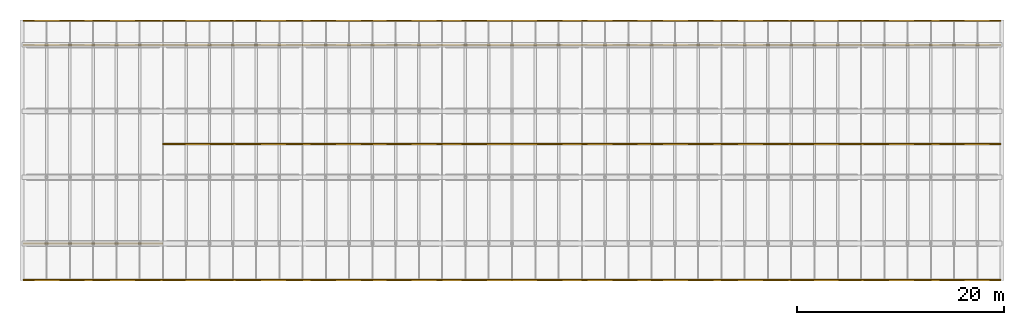
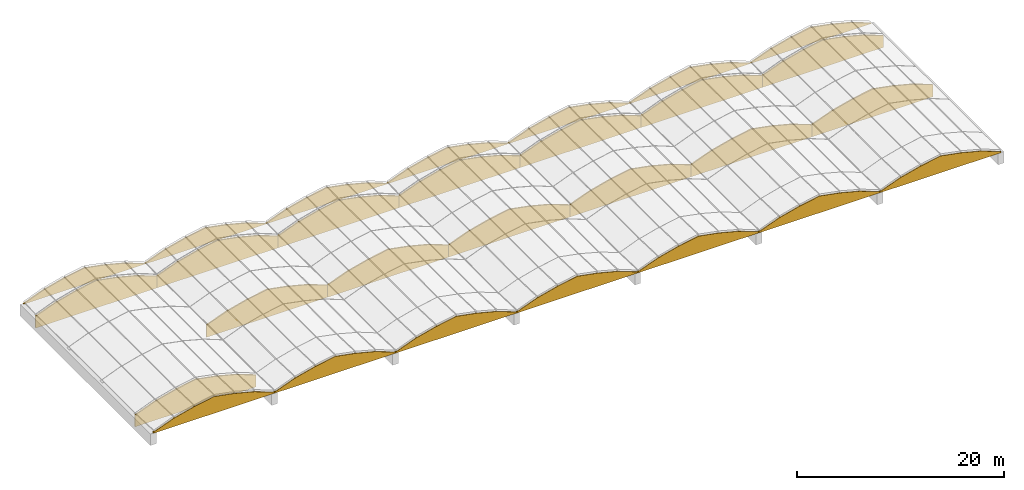
# One storey, part 15 of 15: 28 coverings.
"""IFC4 building model written with IfcOpenShell, lengths in metres."""

from ifc_helpers import new_model, si_unit, direction, frame, origin, place, context, subcontext, project, spatial, polyline, outline, extrude, material, layer, layer_set, type_object, element, save


model = new_model("IFC4")

# Units and contexts
model_context = context("Model", 3, precision=1e-05, world=origin(), true_north=direction((0.0, 1.0)))
body_context = subcontext(model_context, "Body", "Model", "MODEL_VIEW")
ifc_project = project(units=[si_unit("LENGTHUNIT", "METRE"), si_unit("AREAUNIT", "SQUARE_METRE"), si_unit("VOLUMEUNIT", "CUBIC_METRE"), si_unit("PLANEANGLEUNIT", "RADIAN"), si_unit("MASSUNIT", "GRAM", prefix="KILO")], contexts=[model_context])

# Site, building, storey
site_placement = place(None, origin())
site = spatial("IfcSite", under=ifc_project, at=site_placement, CompositionType="ELEMENT")
building_placement = place(site_placement, origin())
building = spatial("IfcBuilding", under=site, at=building_placement, Name="Fikremerkos Civic Library", CompositionType="ELEMENT")
storey_placement = place(building_placement, frame((0.0, 0.0, 27.89990234375)))
storey = spatial("IfcBuildingStorey", under=building, at=storey_placement, Name="RF", CompositionType="ELEMENT", Elevation=27.89990234375)

# Coverings
ifc_material = material(Name="Anodised aluminium mullion and transom", Category="aluminium")
ifc_layer = layer(ifc_material, 0.139892578125, Name="Anodised aluminium mullion and transom")
ifc_layer_set = layer_set([ifc_layer], Name="Anodised aluminium mullion and transom")
covering_type = type_object("IfcCoveringType", Name="Anodised aluminium clerestory closure CLD-03", PredefinedType="CLADDING", material=ifc_layer_set)
covering_1_placement = place(storey_placement, frame((19.199951171875, 31.199951171875, -1.39990234375), z_axis=(0.0, 0.0, 1.0), x_axis=(1.0, 0.0, 0.0)))
element("IfcCovering", 1, at=covering_1_placement, inside=storey, type_object=covering_type, Name="Reading hall north barrel-vault arch lunette closure CLD-03 V1", PredefinedType="CLADDING", context=body_context, shape_type="SweptSolid", body=[
    extrude(outline(polyline([(0.0, 0.0), (13.5, 0.0), (13.5, 1.385009765625), (11.25, 2.23095703125), (9.0, 2.80908203125), (6.75, 3.22900390625), (4.5, 2.80908203125), (2.25, 2.23095703125), (0.0, 1.385009765625), (0.0, 0.0)])), frame((0.0, 0.06982421875, 0.0), z_axis=(0.0, -1.0, 0.0), x_axis=(1.0, 0.0, 0.0)), (0.0, 0.0, 1.0), 0.139892578125),
])
covering_2_placement = place(storey_placement, frame((19.199951171875, 33.5400390625, -0.02001953125), z_axis=(0.0, 0.0, 1.0), x_axis=(1.0, 0.0, 0.0)))
element("IfcCovering", 2, at=covering_2_placement, inside=storey, type_object=covering_type, Name="Reading hall north eave arch tympanum CLD-03 V1", PredefinedType="CLADDING", context=body_context, shape_type="SweptSolid", body=[
    extrude(outline(polyline([(0.0, 0.0), (13.5, 0.0), (13.5, 0.060546875), (11.25, 0.906494140625), (9.0, 1.484619140625), (6.75, 1.904541015625), (4.5, 1.484619140625), (2.25, 0.906494140625), (0.0, 0.060546875), (0.0, 0.0)])), frame((0.0, 0.06982421875, 0.0), z_axis=(0.0, -1.0, 0.0), x_axis=(1.0, 0.0, 0.0)), (0.0, 0.0, 1.0), 0.139892578125),
])
covering_3_placement = place(storey_placement, frame((19.199951171875, 8.4599609375, -0.02001953125), z_axis=(0.0, 0.0, 1.0), x_axis=(1.0, 0.0, 0.0)))
element("IfcCovering", 3, at=covering_3_placement, inside=storey, type_object=covering_type, Name="Reading hall south eave arch tympanum CLD-03 V1", PredefinedType="CLADDING", context=body_context, shape_type="SweptSolid", body=[
    extrude(outline(polyline([(0.0, 0.0), (13.5, 0.0), (13.5, 0.1298828125), (11.25, 0.975830078125), (9.0, 1.553955078125), (6.75, 1.973876953125), (4.5, 1.553955078125), (2.25, 0.975830078125), (0.0, 0.1298828125), (0.0, 0.0)])), frame((0.0, 0.06982421875, 0.0), z_axis=(0.0, -1.0, 0.0), x_axis=(1.0, 0.0, 0.0)), (0.0, 0.0, 1.0), 0.139892578125),
])
for number, where, z_axis, x_axis, name in (
    (4, (19.199951171875, 12.0, -1.39990234375), (0.0, 0.0, 1.0), (1.0, 0.0, 0.0), "Reading hall west bay upper lunette closure CLD-03 V1"),
    (5, (32.699951171875, 31.199951171875, -1.39990234375), (0.0, 0.0, 1.0), (1.0, 0.0, 0.0), "Reading hall north barrel-vault arch lunette closure CLD-03 V2"),
):
    element("IfcCovering", number, at=place(storey_placement, frame(where, z_axis=z_axis, x_axis=x_axis)), inside=storey, type_object=covering_type, Name=name, PredefinedType="CLADDING", context=body_context, shape_type="SweptSolid", body=[
        extrude(outline(polyline([(0.0, 0.0), (13.5, 0.0), (13.5, 1.385009765625), (11.25, 2.23095703125), (9.0, 2.80908203125), (6.75, 3.22900390625), (4.5, 2.80908203125), (2.25, 2.23095703125), (0.0, 1.385009765625), (0.0, 0.0)])), frame((0.0, 0.06982421875, 0.0), z_axis=(0.0, -1.0, 0.0), x_axis=(1.0, 0.0, 0.0)), (0.0, 0.0, 1.0), 0.139892578125),
    ])
covering_4_placement = place(storey_placement, frame((32.699951171875, 33.5400390625, -0.02001953125), z_axis=(0.0, 0.0, 1.0), x_axis=(1.0, 0.0, 0.0)))
element("IfcCovering", 6, at=covering_4_placement, inside=storey, type_object=covering_type, Name="Reading hall north eave arch tympanum CLD-03 V2", PredefinedType="CLADDING", context=body_context, shape_type="SweptSolid", body=[
    extrude(outline(polyline([(0.0, 0.0), (13.5, 0.0), (13.5, 0.060546875), (11.25, 0.906494140625), (9.0, 1.484619140625), (6.75, 1.904541015625), (4.5, 1.484619140625), (2.25, 0.906494140625), (0.0, 0.060546875), (0.0, 0.0)])), frame((0.0, 0.06982421875, 0.0), z_axis=(0.0, -1.0, 0.0), x_axis=(1.0, 0.0, 0.0)), (0.0, 0.0, 1.0), 0.139892578125),
])
covering_5_placement = place(storey_placement, frame((32.699951171875, 8.4599609375, -0.02001953125), z_axis=(0.0, 0.0, 1.0), x_axis=(1.0, 0.0, 0.0)))
element("IfcCovering", 7, at=covering_5_placement, inside=storey, type_object=covering_type, Name="Reading hall south eave arch tympanum CLD-03 V2", PredefinedType="CLADDING", context=body_context, shape_type="SweptSolid", body=[
    extrude(outline(polyline([(0.0, 0.0), (13.5, 0.0), (13.5, 0.1298828125), (11.25, 0.975830078125), (9.0, 1.553955078125), (6.75, 1.973876953125), (4.5, 1.553955078125), (2.25, 0.975830078125), (0.0, 0.1298828125), (0.0, 0.0)])), frame((0.0, 0.06982421875, 0.0), z_axis=(0.0, -1.0, 0.0), x_axis=(1.0, 0.0, 0.0)), (0.0, 0.0, 1.0), 0.139892578125),
])
covering_6_placement = place(storey_placement, frame((32.699951171875, 21.60009765625, -1.39990234375), z_axis=(0.0, 0.0, 1.0), x_axis=(1.0, 0.0, 0.0)))
element("IfcCovering", 8, at=covering_6_placement, inside=storey, type_object=covering_type, Name="Mezzanine upper arch head closure CLD-03 V2", PredefinedType="CLADDING", context=body_context, shape_type="SweptSolid", body=[
    extrude(outline(polyline([(0.0, 0.0), (13.5, 0.0), (13.5, 1.425048828125), (11.25, 2.27099609375), (9.0, 2.84912109375), (6.75, 3.26904296875), (4.5, 2.84912109375), (2.25, 2.27099609375), (0.0, 1.425048828125), (0.0, 0.0)])), frame((0.0, 0.06982421875, 0.0), z_axis=(0.0, -1.0, 0.0), x_axis=(1.0, 0.0, 0.0)), (0.0, 0.0, 1.0), 0.139892578125),
])
covering_7_placement = place(storey_placement, frame((46.199951171875, 31.199951171875, -1.39990234375), z_axis=(0.0, 0.0, 1.0), x_axis=(1.0, 0.0, 0.0)))
element("IfcCovering", 9, at=covering_7_placement, inside=storey, type_object=covering_type, Name="Reading hall north barrel-vault arch lunette closure CLD-03 V3", PredefinedType="CLADDING", context=body_context, shape_type="SweptSolid", body=[
    extrude(outline(polyline([(0.0, 0.0), (13.5, 0.0), (13.5, 1.385009765625), (11.25, 2.23095703125), (9.0, 2.80908203125), (6.75, 3.22900390625), (4.5, 2.80908203125), (2.25, 2.23095703125), (0.0, 1.385009765625), (0.0, 0.0)])), frame((0.0, 0.06982421875, 0.0), z_axis=(0.0, -1.0, 0.0), x_axis=(1.0, 0.0, 0.0)), (0.0, 0.0, 1.0), 0.139892578125),
])
covering_8_placement = place(storey_placement, frame((46.199951171875, 33.5400390625, -0.02001953125), z_axis=(0.0, 0.0, 1.0), x_axis=(1.0, 0.0, 0.0)))
element("IfcCovering", 10, at=covering_8_placement, inside=storey, type_object=covering_type, Name="Reading hall north eave arch tympanum CLD-03 V3", PredefinedType="CLADDING", context=body_context, shape_type="SweptSolid", body=[
    extrude(outline(polyline([(0.0, 0.0), (13.5, 0.0), (13.5, 0.060546875), (11.25, 0.906494140625), (9.0, 1.484619140625), (6.75, 1.904541015625), (4.5, 1.484619140625), (2.25, 0.906494140625), (0.0, 0.060546875), (0.0, 0.0)])), frame((0.0, 0.06982421875, 0.0), z_axis=(0.0, -1.0, 0.0), x_axis=(1.0, 0.0, 0.0)), (0.0, 0.0, 1.0), 0.139892578125),
])
covering_9_placement = place(storey_placement, frame((46.199951171875, 8.4599609375, -0.02001953125), z_axis=(0.0, 0.0, 1.0), x_axis=(1.0, 0.0, 0.0)))
element("IfcCovering", 11, at=covering_9_placement, inside=storey, type_object=covering_type, Name="Reading hall south eave arch tympanum CLD-03 V3", PredefinedType="CLADDING", context=body_context, shape_type="SweptSolid", body=[
    extrude(outline(polyline([(0.0, 0.0), (13.5, 0.0), (13.5, 0.1298828125), (11.25, 0.975830078125), (9.0, 1.553955078125), (6.75, 1.973876953125), (4.5, 1.553955078125), (2.25, 0.975830078125), (0.0, 0.1298828125), (0.0, 0.0)])), frame((0.0, 0.06982421875, 0.0), z_axis=(0.0, -1.0, 0.0), x_axis=(1.0, 0.0, 0.0)), (0.0, 0.0, 1.0), 0.139892578125),
])
covering_10_placement = place(storey_placement, frame((46.199951171875, 21.60009765625, -1.39990234375), z_axis=(0.0, 0.0, 1.0), x_axis=(1.0, 0.0, 0.0)))
element("IfcCovering", 12, at=covering_10_placement, inside=storey, type_object=covering_type, Name="Mezzanine upper arch head closure CLD-03 V3", PredefinedType="CLADDING", context=body_context, shape_type="SweptSolid", body=[
    extrude(outline(polyline([(0.0, 0.0), (13.5, 0.0), (13.5, 1.425048828125), (11.25, 2.27099609375), (9.0, 2.84912109375), (6.75, 3.26904296875), (4.5, 2.84912109375), (2.25, 2.27099609375), (0.0, 1.425048828125), (0.0, 0.0)])), frame((0.0, 0.06982421875, 0.0), z_axis=(0.0, -1.0, 0.0), x_axis=(1.0, 0.0, 0.0)), (0.0, 0.0, 1.0), 0.139892578125),
])
covering_11_placement = place(storey_placement, frame((59.699951171875, 31.199951171875, -1.39990234375), z_axis=(0.0, 0.0, 1.0), x_axis=(1.0, 0.0, 0.0)))
element("IfcCovering", 13, at=covering_11_placement, inside=storey, type_object=covering_type, Name="Reading hall north barrel-vault arch lunette closure CLD-03 V4", PredefinedType="CLADDING", context=body_context, shape_type="SweptSolid", body=[
    extrude(outline(polyline([(0.0, 0.0), (13.5, 0.0), (13.5, 1.385009765625), (11.25, 2.23095703125), (9.0, 2.80908203125), (6.75, 3.22900390625), (4.5, 2.80908203125), (2.25, 2.23095703125), (0.0, 1.385009765625), (0.0, 0.0)])), frame((0.0, 0.06982421875, 0.0), z_axis=(0.0, -1.0, 0.0), x_axis=(1.0, 0.0, 0.0)), (0.0, 0.0, 1.0), 0.139892578125),
])
covering_12_placement = place(storey_placement, frame((59.699951171875, 33.5400390625, -0.02001953125), z_axis=(0.0, 0.0, 1.0), x_axis=(1.0, 0.0, 0.0)))
element("IfcCovering", 14, at=covering_12_placement, inside=storey, type_object=covering_type, Name="Reading hall north eave arch tympanum CLD-03 V4", PredefinedType="CLADDING", context=body_context, shape_type="SweptSolid", body=[
    extrude(outline(polyline([(0.0, 0.0), (13.5, 0.0), (13.5, 0.060546875), (11.25, 0.906494140625), (9.0, 1.484619140625), (6.75, 1.904541015625), (4.5, 1.484619140625), (2.25, 0.906494140625), (0.0, 0.060546875), (0.0, 0.0)])), frame((0.0, 0.06982421875, 0.0), z_axis=(0.0, -1.0, 0.0), x_axis=(1.0, 0.0, 0.0)), (0.0, 0.0, 1.0), 0.139892578125),
])
covering_13_placement = place(storey_placement, frame((59.699951171875, 8.4599609375, -0.02001953125), z_axis=(0.0, 0.0, 1.0), x_axis=(1.0, 0.0, 0.0)))
element("IfcCovering", 15, at=covering_13_placement, inside=storey, type_object=covering_type, Name="Reading hall south eave arch tympanum CLD-03 V4", PredefinedType="CLADDING", context=body_context, shape_type="SweptSolid", body=[
    extrude(outline(polyline([(0.0, 0.0), (13.5, 0.0), (13.5, 0.1298828125), (11.25, 0.975830078125), (9.0, 1.553955078125), (6.75, 1.973876953125), (4.5, 1.553955078125), (2.25, 0.975830078125), (0.0, 0.1298828125), (0.0, 0.0)])), frame((0.0, 0.06982421875, 0.0), z_axis=(0.0, -1.0, 0.0), x_axis=(1.0, 0.0, 0.0)), (0.0, 0.0, 1.0), 0.139892578125),
])
covering_14_placement = place(storey_placement, frame((59.699951171875, 21.60009765625, -1.39990234375), z_axis=(0.0, 0.0, 1.0), x_axis=(1.0, 0.0, 0.0)))
element("IfcCovering", 16, at=covering_14_placement, inside=storey, type_object=covering_type, Name="Mezzanine upper arch head closure CLD-03 V4", PredefinedType="CLADDING", context=body_context, shape_type="SweptSolid", body=[
    extrude(outline(polyline([(0.0, 0.0), (13.5, 0.0), (13.5, 1.425048828125), (11.25, 2.27099609375), (9.0, 2.84912109375), (6.75, 3.26904296875), (4.5, 2.84912109375), (2.25, 2.27099609375), (0.0, 1.425048828125), (0.0, 0.0)])), frame((0.0, 0.06982421875, 0.0), z_axis=(0.0, -1.0, 0.0), x_axis=(1.0, 0.0, 0.0)), (0.0, 0.0, 1.0), 0.139892578125),
])
covering_15_placement = place(storey_placement, frame((73.199951171875, 31.199951171875, -1.39990234375), z_axis=(0.0, 0.0, 1.0), x_axis=(1.0, 0.0, 0.0)))
element("IfcCovering", 17, at=covering_15_placement, inside=storey, type_object=covering_type, Name="Reading hall north barrel-vault arch lunette closure CLD-03 V5", PredefinedType="CLADDING", context=body_context, shape_type="SweptSolid", body=[
    extrude(outline(polyline([(0.0, 0.0), (13.5, 0.0), (13.5, 1.385009765625), (11.25, 2.23095703125), (9.0, 2.80908203125), (6.75, 3.22900390625), (4.5, 2.80908203125), (2.25, 2.23095703125), (0.0, 1.385009765625), (0.0, 0.0)])), frame((0.0, 0.06982421875, 0.0), z_axis=(0.0, -1.0, 0.0), x_axis=(1.0, 0.0, 0.0)), (0.0, 0.0, 1.0), 0.139892578125),
])
covering_16_placement = place(storey_placement, frame((73.199951171875, 33.5400390625, -0.02001953125), z_axis=(0.0, 0.0, 1.0), x_axis=(1.0, 0.0, 0.0)))
element("IfcCovering", 18, at=covering_16_placement, inside=storey, type_object=covering_type, Name="Reading hall north eave arch tympanum CLD-03 V5", PredefinedType="CLADDING", context=body_context, shape_type="SweptSolid", body=[
    extrude(outline(polyline([(0.0, 0.0), (13.5, 0.0), (13.5, 0.060546875), (11.25, 0.906494140625), (9.0, 1.484619140625), (6.75, 1.904541015625), (4.5, 1.484619140625), (2.25, 0.906494140625), (0.0, 0.060546875), (0.0, 0.0)])), frame((0.0, 0.06982421875, 0.0), z_axis=(0.0, -1.0, 0.0), x_axis=(1.0, 0.0, 0.0)), (0.0, 0.0, 1.0), 0.139892578125),
])
covering_17_placement = place(storey_placement, frame((73.199951171875, 8.4599609375, -0.02001953125), z_axis=(0.0, 0.0, 1.0), x_axis=(1.0, 0.0, 0.0)))
element("IfcCovering", 19, at=covering_17_placement, inside=storey, type_object=covering_type, Name="Reading hall south eave arch tympanum CLD-03 V5", PredefinedType="CLADDING", context=body_context, shape_type="SweptSolid", body=[
    extrude(outline(polyline([(0.0, 0.0), (13.5, 0.0), (13.5, 0.1298828125), (11.25, 0.975830078125), (9.0, 1.553955078125), (6.75, 1.973876953125), (4.5, 1.553955078125), (2.25, 0.975830078125), (0.0, 0.1298828125), (0.0, 0.0)])), frame((0.0, 0.06982421875, 0.0), z_axis=(0.0, -1.0, 0.0), x_axis=(1.0, 0.0, 0.0)), (0.0, 0.0, 1.0), 0.139892578125),
])
covering_18_placement = place(storey_placement, frame((73.199951171875, 21.60009765625, -1.39990234375), z_axis=(0.0, 0.0, 1.0), x_axis=(1.0, 0.0, 0.0)))
element("IfcCovering", 20, at=covering_18_placement, inside=storey, type_object=covering_type, Name="Mezzanine upper arch head closure CLD-03 V5", PredefinedType="CLADDING", context=body_context, shape_type="SweptSolid", body=[
    extrude(outline(polyline([(0.0, 0.0), (13.5, 0.0), (13.5, 1.425048828125), (11.25, 2.27099609375), (9.0, 2.84912109375), (6.75, 3.26904296875), (4.5, 2.84912109375), (2.25, 2.27099609375), (0.0, 1.425048828125), (0.0, 0.0)])), frame((0.0, 0.06982421875, 0.0), z_axis=(0.0, -1.0, 0.0), x_axis=(1.0, 0.0, 0.0)), (0.0, 0.0, 1.0), 0.139892578125),
])
covering_19_placement = place(storey_placement, frame((86.699951171875, 31.199951171875, -1.39990234375), z_axis=(0.0, 0.0, 1.0), x_axis=(1.0, 0.0, 0.0)))
element("IfcCovering", 21, at=covering_19_placement, inside=storey, type_object=covering_type, Name="Reading hall north barrel-vault arch lunette closure CLD-03 V6", PredefinedType="CLADDING", context=body_context, shape_type="SweptSolid", body=[
    extrude(outline(polyline([(0.0, 0.0), (13.5, 0.0), (13.5, 1.385009765625), (11.25, 2.23095703125), (9.0, 2.80908203125), (6.75, 3.22900390625), (4.5, 2.80908203125), (2.25, 2.23095703125), (0.0, 1.385009765625), (0.0, 0.0)])), frame((0.0, 0.06982421875, 0.0), z_axis=(0.0, -1.0, 0.0), x_axis=(1.0, 0.0, 0.0)), (0.0, 0.0, 1.0), 0.139892578125),
])
covering_20_placement = place(storey_placement, frame((86.699951171875, 33.5400390625, -0.02001953125), z_axis=(0.0, 0.0, 1.0), x_axis=(1.0, 0.0, 0.0)))
element("IfcCovering", 22, at=covering_20_placement, inside=storey, type_object=covering_type, Name="Reading hall north eave arch tympanum CLD-03 V6", PredefinedType="CLADDING", context=body_context, shape_type="SweptSolid", body=[
    extrude(outline(polyline([(0.0, 0.0), (13.5, 0.0), (13.5, 0.060546875), (11.25, 0.906494140625), (9.0, 1.484619140625), (6.75, 1.904541015625), (4.5, 1.484619140625), (2.25, 0.906494140625), (0.0, 0.060546875), (0.0, 0.0)])), frame((0.0, 0.06982421875, 0.0), z_axis=(0.0, -1.0, 0.0), x_axis=(1.0, 0.0, 0.0)), (0.0, 0.0, 1.0), 0.139892578125),
])
covering_21_placement = place(storey_placement, frame((86.699951171875, 8.4599609375, -0.02001953125), z_axis=(0.0, 0.0, 1.0), x_axis=(1.0, 0.0, 0.0)))
element("IfcCovering", 23, at=covering_21_placement, inside=storey, type_object=covering_type, Name="Reading hall south eave arch tympanum CLD-03 V6", PredefinedType="CLADDING", context=body_context, shape_type="SweptSolid", body=[
    extrude(outline(polyline([(0.0, 0.0), (13.5, 0.0), (13.5, 0.1298828125), (11.25, 0.975830078125), (9.0, 1.553955078125), (6.75, 1.973876953125), (4.5, 1.553955078125), (2.25, 0.975830078125), (0.0, 0.1298828125), (0.0, 0.0)])), frame((0.0, 0.06982421875, 0.0), z_axis=(0.0, -1.0, 0.0), x_axis=(1.0, 0.0, 0.0)), (0.0, 0.0, 1.0), 0.139892578125),
])
covering_22_placement = place(storey_placement, frame((86.699951171875, 21.60009765625, -1.39990234375), z_axis=(0.0, 0.0, 1.0), x_axis=(1.0, 0.0, 0.0)))
element("IfcCovering", 24, at=covering_22_placement, inside=storey, type_object=covering_type, Name="Mezzanine upper arch head closure CLD-03 V6", PredefinedType="CLADDING", context=body_context, shape_type="SweptSolid", body=[
    extrude(outline(polyline([(0.0, 0.0), (13.5, 0.0), (13.5, 1.425048828125), (11.25, 2.27099609375), (9.0, 2.84912109375), (6.75, 3.26904296875), (4.5, 2.84912109375), (2.25, 2.27099609375), (0.0, 1.425048828125), (0.0, 0.0)])), frame((0.0, 0.06982421875, 0.0), z_axis=(0.0, -1.0, 0.0), x_axis=(1.0, 0.0, 0.0)), (0.0, 0.0, 1.0), 0.139892578125),
])
covering_23_placement = place(storey_placement, frame((100.199951171875, 31.199951171875, -1.39990234375), z_axis=(0.0, 0.0, 1.0), x_axis=(1.0, 0.0, 0.0)))
element("IfcCovering", 25, at=covering_23_placement, inside=storey, type_object=covering_type, Name="Reading hall north barrel-vault arch lunette closure CLD-03 V7", PredefinedType="CLADDING", context=body_context, shape_type="SweptSolid", body=[
    extrude(outline(polyline([(0.0, 0.0), (13.5, 0.0), (13.5, 1.385009765625), (11.25, 2.23095703125), (9.0, 2.80908203125), (6.75, 3.22900390625), (4.5, 2.80908203125), (2.25, 2.23095703125), (0.0, 1.385009765625), (0.0, 0.0)])), frame((0.0, 0.06982421875, 0.0), z_axis=(0.0, -1.0, 0.0), x_axis=(1.0, 0.0, 0.0)), (0.0, 0.0, 1.0), 0.139892578125),
])
covering_24_placement = place(storey_placement, frame((100.199951171875, 33.5400390625, -0.02001953125), z_axis=(0.0, 0.0, 1.0), x_axis=(1.0, 0.0, 0.0)))
element("IfcCovering", 26, at=covering_24_placement, inside=storey, type_object=covering_type, Name="Reading hall north eave arch tympanum CLD-03 V7", PredefinedType="CLADDING", context=body_context, shape_type="SweptSolid", body=[
    extrude(outline(polyline([(0.0, 0.0), (13.5, 0.0), (13.5, 0.060546875), (11.25, 0.906494140625), (9.0, 1.484619140625), (6.75, 1.904541015625), (4.5, 1.484619140625), (2.25, 0.906494140625), (0.0, 0.060546875), (0.0, 0.0)])), frame((0.0, 0.06982421875, 0.0), z_axis=(0.0, -1.0, 0.0), x_axis=(1.0, 0.0, 0.0)), (0.0, 0.0, 1.0), 0.139892578125),
])
covering_25_placement = place(storey_placement, frame((100.199951171875, 8.4599609375, -0.02001953125), z_axis=(0.0, 0.0, 1.0), x_axis=(1.0, 0.0, 0.0)))
element("IfcCovering", 27, at=covering_25_placement, inside=storey, type_object=covering_type, Name="Reading hall south eave arch tympanum CLD-03 V7", PredefinedType="CLADDING", context=body_context, shape_type="SweptSolid", body=[
    extrude(outline(polyline([(0.0, 0.0), (13.5, 0.0), (13.5, 0.1298828125), (11.25, 0.975830078125), (9.0, 1.553955078125), (6.75, 1.973876953125), (4.5, 1.553955078125), (2.25, 0.975830078125), (0.0, 0.1298828125), (0.0, 0.0)])), frame((0.0, 0.06982421875, 0.0), z_axis=(0.0, -1.0, 0.0), x_axis=(1.0, 0.0, 0.0)), (0.0, 0.0, 1.0), 0.139892578125),
])
covering_26_placement = place(storey_placement, frame((100.199951171875, 21.60009765625, -1.39990234375), z_axis=(0.0, 0.0, 1.0), x_axis=(1.0, 0.0, 0.0)))
element("IfcCovering", 28, at=covering_26_placement, inside=storey, type_object=covering_type, Name="Mezzanine upper arch head closure CLD-03 V7", PredefinedType="CLADDING", context=body_context, shape_type="SweptSolid", body=[
    extrude(outline(polyline([(0.0, 0.0), (13.5, 0.0), (13.5, 1.425048828125), (11.25, 2.27099609375), (9.0, 2.84912109375), (6.75, 3.26904296875), (4.5, 2.84912109375), (2.25, 2.27099609375), (0.0, 1.425048828125), (0.0, 0.0)])), frame((0.0, 0.06982421875, 0.0), z_axis=(0.0, -1.0, 0.0), x_axis=(1.0, 0.0, 0.0)), (0.0, 0.0, 1.0), 0.139892578125),
])

save(model, "model.ifc")
